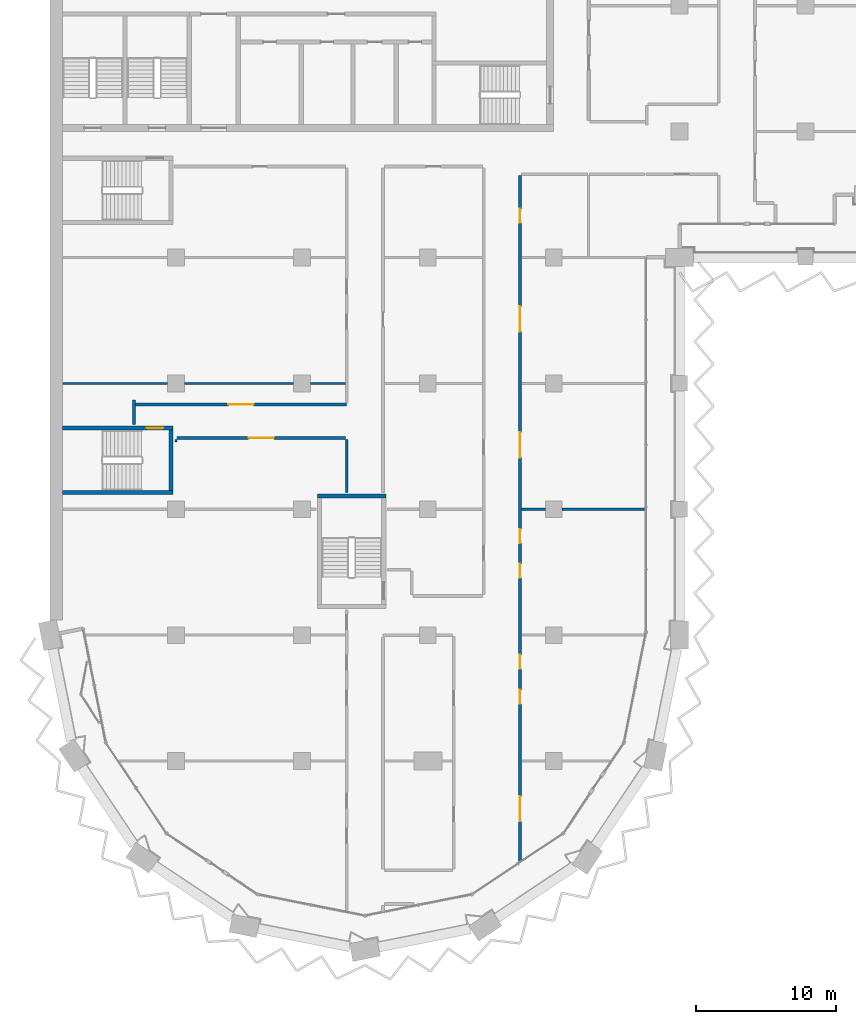
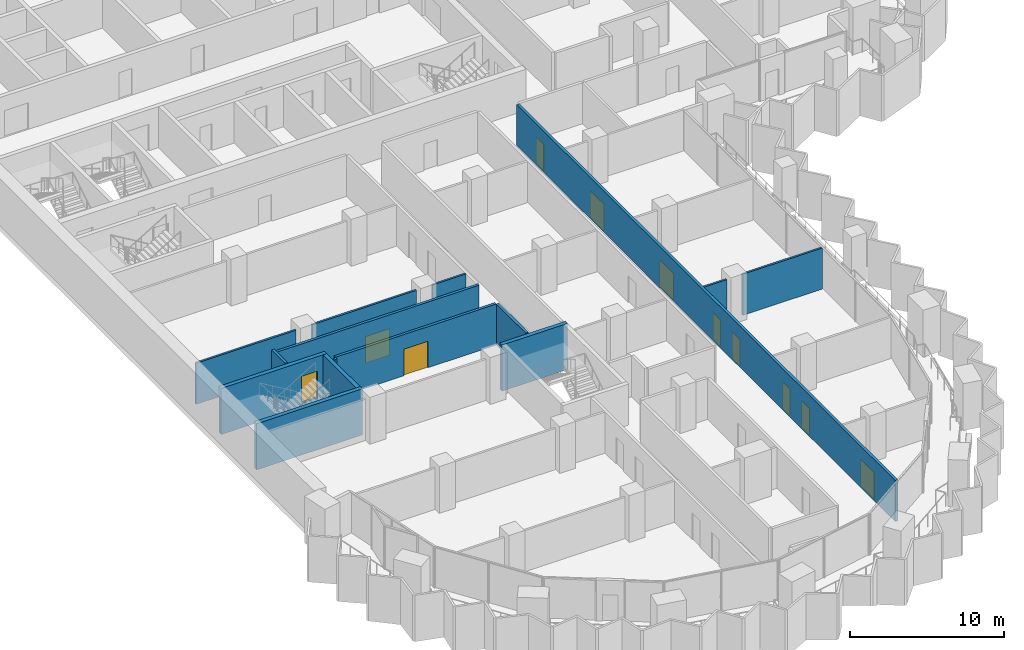
# One storey, part 11 of 22: 15 walls, 11 doors, 11 openings.
"""IFC4 building model written with IfcOpenShell, lengths in metres."""

from ifc_helpers import new_model, si_unit, direction, frame, frame_2d, origin, place, context, subcontext, project, spatial, rectangle, extrude, material, layer, layer_set, type_object, element, fill, save


model = new_model("IFC4")

# Units and contexts
model_context = context("Model", 3, precision=1e-05, world=origin(), true_north=direction((0.0, 1.0)))
body_context = subcontext(model_context, "Body", "Model", "MODEL_VIEW")
ifc_project = project(units=[si_unit("LENGTHUNIT", "METRE"), si_unit("AREAUNIT", "SQUARE_METRE"), si_unit("VOLUMEUNIT", "CUBIC_METRE"), si_unit("PLANEANGLEUNIT", "RADIAN"), si_unit("MASSUNIT", "GRAM", prefix="KILO")], contexts=[model_context])

# Site, building, storey
site_placement = place(None, origin())
site = spatial("IfcSite", under=ifc_project, at=site_placement, CompositionType="ELEMENT")
building_placement = place(site_placement, origin())
building = spatial("IfcBuilding", under=site, at=building_placement, Name="Hunhe Ridgeline Campus", CompositionType="ELEMENT")
storey_placement = place(building_placement, frame((0.0, 0.0, 174.5)))
storey = spatial("IfcBuildingStorey", under=building, at=storey_placement, Name="L44", CompositionType="ELEMENT", Elevation=174.5)

# Wall, opening, door
ifc_material_1 = material(Name="Gypsum board partition")
ifc_layer_1 = layer(ifc_material_1, 0.199951171875)
ifc_layer_set_1 = layer_set([ifc_layer_1], Name="Corridor partition 200 gypsum board on steel studs")
wall_type_1 = type_object("IfcWallType", Name="Corridor partition 200 gypsum board on steel studs", PredefinedType="PARTITIONING", material=ifc_layer_set_1)
wall_1_placement = place(storey_placement, frame((21.10009765625, 41.10009765625, 0.0), z_axis=(0.0, 0.0, 1.0), x_axis=(-1.0, 0.0, 0.0)))
wall_1 = element("IfcWall", 1, at=wall_1_placement, inside=storey, type_object=wall_type_1, Name="F-L44-wall-026", PredefinedType="PARTITIONING", context=body_context, shape_type="SweptSolid", body=[
    extrude(rectangle(XDim=12.025146484375, YDim=0.199951171875, at=frame_2d((6.0126953125, 0.0))), origin(), (0.0, 0.0, 1.0), 3.25),
])
opening_1_placement = place(wall_1_placement, frame((5.112548828125, 0.0, 0.0)))
opening_1 = element("IfcOpeningElement", 2, at=opening_1_placement, cuts=wall_1, Name="Opening RD2-016", PredefinedType="OPENING", context=body_context, shape_type="SweptSolid", body=[
    extrude(rectangle(XDim=1.800048828125, YDim=2.10009765625, at=frame_2d((0.89990234375, 1.050048828125))), frame((0.0, 0.10009765625, 0.0), z_axis=(0.0, -1.0, 0.0), x_axis=(1.0, 0.0, 0.0)), (0.0, 0.0, 1.0), 0.199951171875),
])
ifc_material_2 = material(Name="Timber door leaf", Category="wood")
door_type_1 = type_object("IfcDoorType", Name="Double fire door 1800x2100 timber FD60", OperationType="DOUBLE_DOOR_SINGLE_SWING", PredefinedType="DOOR", material=ifc_material_2)
door_1_placement = place(opening_1_placement, origin())
door_1 = element("IfcDoor", 3, at=door_1_placement, inside=storey, type_object=door_type_1, Name="F-L44-door-016", OperationType="DOUBLE_DOOR_SINGLE_SWING", OverallHeight=2.10009765625, OverallWidth=1.800048828125, PredefinedType="DOOR", context=body_context, shape_type="SweptSolid", body=[
    extrude(rectangle(XDim=1.800048828125, YDim=2.10009765625, at=frame_2d((0.89990234375, 1.050048828125))), frame((0.0, 0.02490234375, 0.0), z_axis=(0.0, -1.0, 0.0), x_axis=(1.0, 0.0, 0.0)), (0.0, 0.0, 1.0), 0.050048828125),
])
fill(opening_1, door_1)

wall_2_placement = place(storey_placement, frame((6.10009765625, 43.5, 0.0), z_axis=(0.0, 0.0, 1.0), x_axis=(1.0, 0.0, 0.0)))
wall_2 = element("IfcWall", 4, at=wall_2_placement, inside=storey, type_object=wall_type_1, Name="F-L44-wall-027", PredefinedType="PARTITIONING", context=body_context, shape_type="SweptSolid", body=[
    extrude(rectangle(XDim=15.099853515625, YDim=0.199951171875, at=frame_2d((7.5498046875, 0.0))), origin(), (0.0, 0.0, 1.0), 3.25),
])
opening_2_placement = place(wall_2_placement, frame((6.64990234375, 0.0, 0.0)))
opening_2 = element("IfcOpeningElement", 5, at=opening_2_placement, cuts=wall_2, Name="Opening RD2-017", PredefinedType="OPENING", context=body_context, shape_type="SweptSolid", body=[
    extrude(rectangle(XDim=1.800048828125, YDim=2.10009765625, at=frame_2d((0.89990234375, 1.050048828125))), frame((0.0, 0.10009765625, 0.0), z_axis=(0.0, -1.0, 0.0), x_axis=(1.0, 0.0, 0.0)), (0.0, 0.0, 1.0), 0.199951171875),
])
door_2_placement = place(opening_2_placement, origin())
door_2 = element("IfcDoor", 6, at=door_2_placement, inside=storey, type_object=door_type_1, Name="F-L44-door-017", OperationType="DOUBLE_DOOR_SINGLE_SWING", OverallHeight=2.10009765625, OverallWidth=1.800048828125, PredefinedType="DOOR", context=body_context, shape_type="SweptSolid", body=[
    extrude(rectangle(XDim=1.800048828125, YDim=2.10009765625, at=frame_2d((0.89990234375, 1.050048828125))), frame((0.0, 0.02490234375, 0.0), z_axis=(0.0, -1.0, 0.0), x_axis=(1.0, 0.0, 0.0)), (0.0, 0.0, 1.0), 0.050048828125),
])
fill(opening_2, door_2)

# Walls
wall_3_placement = place(storey_placement, frame((6.0, 42.053955078125, 0.0), z_axis=(0.0, 0.0, 1.0), x_axis=(0.0, 1.0, 0.0)))
element("IfcWall", 7, at=wall_3_placement, inside=storey, type_object=wall_type_1, Name="F-L44-wall-061", PredefinedType="PARTITIONING", context=body_context, shape_type="SweptSolid", body=[
    extrude(rectangle(XDim=1.74609375, YDim=0.199951171875, at=frame_2d((0.873046875, 0.0))), origin(), (0.0, 0.0, 1.0), 3.25),
])
wall_4_placement = place(storey_placement, frame((21.199951171875, 37.2041015625, 0.0), z_axis=(0.0, 0.0, 1.0), x_axis=(0.0, 1.0, 0.0)))
element("IfcWall", 8, at=wall_4_placement, inside=storey, type_object=wall_type_1, Name="F-L44-wall-064", PredefinedType="PARTITIONING", context=body_context, shape_type="SweptSolid", body=[
    extrude(rectangle(XDim=3.7958984375, YDim=0.199951171875, at=frame_2d((1.89794921875, 0.0))), origin(), (0.0, 0.0, 1.0), 3.25),
])

# Wall, openings, doors
wall_5_placement = place(storey_placement, frame((33.60009765625, 59.85107421875, 0.0), z_axis=(0.0, 0.0, 1.0), x_axis=(0.0, -1.0, 0.0)))
wall_5 = element("IfcWall", 9, at=wall_5_placement, inside=storey, type_object=wall_type_1, Name="F-L44-wall-072", PredefinedType="PARTITIONING", context=body_context, shape_type="SweptSolid", body=[
    extrude(rectangle(XDim=49.022216796875, YDim=0.199951171875, at=frame_2d((24.51123046875, 0.0))), origin(), (0.0, 0.0, 1.0), 3.25),
])
opening_3_placement = place(wall_5_placement, frame((44.37060546875, 0.0, 0.0)))
opening_3 = element("IfcOpeningElement", 10, at=opening_3_placement, cuts=wall_5, Name="Opening RD2-003", PredefinedType="OPENING", context=body_context, shape_type="SweptSolid", body=[
    extrude(rectangle(XDim=1.800048828125, YDim=2.10009765625, at=frame_2d((0.89990234375, 1.050048828125))), frame((0.0, 0.10009765625, 0.0), z_axis=(0.0, -1.0, 0.0), x_axis=(1.0, 0.0, 0.0)), (0.0, 0.0, 1.0), 0.199951171875),
])
opening_4_placement = place(wall_5_placement, frame((36.766845703125, 0.0, 0.0)))
opening_4 = element("IfcOpeningElement", 11, at=opening_4_placement, cuts=wall_5, Name="Opening RD1-007", PredefinedType="OPENING", context=body_context, shape_type="SweptSolid", body=[
    extrude(rectangle(XDim=1.0, YDim=2.10009765625, at=frame_2d((0.5, 1.050048828125))), frame((0.0, 0.10009765625, 0.0), z_axis=(0.0, -1.0, 0.0), x_axis=(1.0, 0.0, 0.0)), (0.0, 0.0, 1.0), 0.199951171875),
])
opening_5_placement = place(wall_5_placement, frame((34.266845703125, 0.0, 0.0)))
opening_5 = element("IfcOpeningElement", 12, at=opening_5_placement, cuts=wall_5, Name="Opening RD1-009", PredefinedType="OPENING", context=body_context, shape_type="SweptSolid", body=[
    extrude(rectangle(XDim=1.0, YDim=2.10009765625, at=frame_2d((0.5, 1.050048828125))), frame((0.0, 0.10009765625, 0.0), z_axis=(0.0, -1.0, 0.0), x_axis=(1.0, 0.0, 0.0)), (0.0, 0.0, 1.0), 0.199951171875),
])
opening_6_placement = place(wall_5_placement, frame((27.7626953125, 0.0, 0.0)))
opening_6 = element("IfcOpeningElement", 13, at=opening_6_placement, cuts=wall_5, Name="Opening RD1-011", PredefinedType="OPENING", context=body_context, shape_type="SweptSolid", body=[
    extrude(rectangle(XDim=1.0, YDim=2.10009765625, at=frame_2d((0.5, 1.050048828125))), frame((0.0, 0.10009765625, 0.0), z_axis=(0.0, -1.0, 0.0), x_axis=(1.0, 0.0, 0.0)), (0.0, 0.0, 1.0), 0.199951171875),
])
opening_7_placement = place(wall_5_placement, frame((25.2626953125, 0.0, 0.0)))
opening_7 = element("IfcOpeningElement", 14, at=opening_7_placement, cuts=wall_5, Name="Opening RD1-013", PredefinedType="OPENING", context=body_context, shape_type="SweptSolid", body=[
    extrude(rectangle(XDim=1.0, YDim=2.10009765625, at=frame_2d((0.5, 1.050048828125))), frame((0.0, 0.10009765625, 0.0), z_axis=(0.0, -1.0, 0.0), x_axis=(1.0, 0.0, 0.0)), (0.0, 0.0, 1.0), 0.199951171875),
])
opening_8_placement = place(wall_5_placement, frame((18.358642578125, 0.0, 0.0)))
opening_8 = element("IfcOpeningElement", 15, at=opening_8_placement, cuts=wall_5, Name="Opening RD2-015", PredefinedType="OPENING", context=body_context, shape_type="SweptSolid", body=[
    extrude(rectangle(XDim=1.800048828125, YDim=2.10009765625, at=frame_2d((0.89990234375, 1.050048828125))), frame((0.0, 0.10009765625, 0.0), z_axis=(0.0, -1.0, 0.0), x_axis=(1.0, 0.0, 0.0)), (0.0, 0.0, 1.0), 0.199951171875),
])
opening_9_placement = place(wall_5_placement, frame((9.3544921875, 0.0, 0.0)))
opening_9 = element("IfcOpeningElement", 16, at=opening_9_placement, cuts=wall_5, Name="Opening RD2-020", PredefinedType="OPENING", context=body_context, shape_type="SweptSolid", body=[
    extrude(rectangle(XDim=1.800048828125, YDim=2.10009765625, at=frame_2d((0.89990234375, 1.050048828125))), frame((0.0, 0.10009765625, 0.0), z_axis=(0.0, -1.0, 0.0), x_axis=(1.0, 0.0, 0.0)), (0.0, 0.0, 1.0), 0.199951171875),
])
opening_10_placement = place(wall_5_placement, frame((2.376220703125, 0.0, 0.0)))
opening_10 = element("IfcOpeningElement", 17, at=opening_10_placement, cuts=wall_5, Name="Opening RD1-022", PredefinedType="OPENING", context=body_context, shape_type="SweptSolid", body=[
    extrude(rectangle(XDim=1.0, YDim=2.10009765625, at=frame_2d((0.5, 1.050048828125))), frame((0.0, 0.10009765625, 0.0), z_axis=(0.0, -1.0, 0.0), x_axis=(1.0, 0.0, 0.0)), (0.0, 0.0, 1.0), 0.199951171875),
])
door_3_placement = place(opening_3_placement, origin())
door_3 = element("IfcDoor", 18, at=door_3_placement, inside=storey, type_object=door_type_1, Name="F-L44-door-003", OperationType="DOUBLE_DOOR_SINGLE_SWING", OverallHeight=2.10009765625, OverallWidth=1.800048828125, PredefinedType="DOOR", context=body_context, shape_type="SweptSolid", body=[
    extrude(rectangle(XDim=1.800048828125, YDim=2.10009765625, at=frame_2d((0.89990234375, 1.050048828125))), frame((0.0, 0.02490234375, 0.0), z_axis=(0.0, -1.0, 0.0), x_axis=(1.0, 0.0, 0.0)), (0.0, 0.0, 1.0), 0.050048828125),
])
fill(opening_3, door_3)
door_4_placement = place(opening_8_placement, origin())
door_4 = element("IfcDoor", 19, at=door_4_placement, inside=storey, type_object=door_type_1, Name="F-L44-door-015", OperationType="DOUBLE_DOOR_SINGLE_SWING", OverallHeight=2.10009765625, OverallWidth=1.800048828125, PredefinedType="DOOR", context=body_context, shape_type="SweptSolid", body=[
    extrude(rectangle(XDim=1.800048828125, YDim=2.10009765625, at=frame_2d((0.89990234375, 1.050048828125))), frame((0.0, 0.02490234375, 0.0), z_axis=(0.0, -1.0, 0.0), x_axis=(1.0, 0.0, 0.0)), (0.0, 0.0, 1.0), 0.050048828125),
])
fill(opening_8, door_4)
door_5_placement = place(opening_9_placement, origin())
door_5 = element("IfcDoor", 20, at=door_5_placement, inside=storey, type_object=door_type_1, Name="F-L44-door-020", OperationType="DOUBLE_DOOR_SINGLE_SWING", OverallHeight=2.10009765625, OverallWidth=1.800048828125, PredefinedType="DOOR", context=body_context, shape_type="SweptSolid", body=[
    extrude(rectangle(XDim=1.800048828125, YDim=2.10009765625, at=frame_2d((0.89990234375, 1.050048828125))), frame((0.0, 0.02490234375, 0.0), z_axis=(0.0, -1.0, 0.0), x_axis=(1.0, 0.0, 0.0)), (0.0, 0.0, 1.0), 0.050048828125),
])
fill(opening_9, door_5)
door_type_2 = type_object("IfcDoorType", Name="Single fire door 1000x2100 timber FD60", OperationType="NOTDEFINED", PredefinedType="DOOR", material=ifc_material_2)
door_6_placement = place(opening_4_placement, frame((1.0, 0.0, 0.0), z_axis=(0.0, 0.0, 1.0), x_axis=(-1.0, 0.0, 0.0)))
door_6 = element("IfcDoor", 21, at=door_6_placement, inside=storey, type_object=door_type_2, Name="F-L44-door-007", OperationType="SINGLE_SWING_RIGHT", OverallHeight=2.10009765625, OverallWidth=1.0, PredefinedType="DOOR", context=body_context, shape_type="SweptSolid", body=[
    extrude(rectangle(XDim=1.0, YDim=2.10009765625, at=frame_2d((0.5, 1.050048828125))), frame((0.0, 0.02490234375, 0.0), z_axis=(0.0, -1.0, 0.0), x_axis=(1.0, 0.0, 0.0)), (0.0, 0.0, 1.0), 0.050048828125),
])
fill(opening_4, door_6)
door_7_placement = place(opening_5_placement, frame((1.0, 0.0, 0.0), z_axis=(0.0, 0.0, 1.0), x_axis=(-1.0, 0.0, 0.0)))
door_7 = element("IfcDoor", 22, at=door_7_placement, inside=storey, type_object=door_type_2, Name="F-L44-door-009", OperationType="SINGLE_SWING_RIGHT", OverallHeight=2.10009765625, OverallWidth=1.0, PredefinedType="DOOR", context=body_context, shape_type="SweptSolid", body=[
    extrude(rectangle(XDim=1.0, YDim=2.10009765625, at=frame_2d((0.5, 1.050048828125))), frame((0.0, 0.02490234375, 0.0), z_axis=(0.0, -1.0, 0.0), x_axis=(1.0, 0.0, 0.0)), (0.0, 0.0, 1.0), 0.050048828125),
])
fill(opening_5, door_7)
door_8_placement = place(opening_6_placement, frame((1.0, 0.0, 0.0), z_axis=(0.0, 0.0, 1.0), x_axis=(-1.0, 0.0, 0.0)))
door_8 = element("IfcDoor", 23, at=door_8_placement, inside=storey, type_object=door_type_2, Name="F-L44-door-011", OperationType="SINGLE_SWING_RIGHT", OverallHeight=2.10009765625, OverallWidth=1.0, PredefinedType="DOOR", context=body_context, shape_type="SweptSolid", body=[
    extrude(rectangle(XDim=1.0, YDim=2.10009765625, at=frame_2d((0.5, 1.050048828125))), frame((0.0, 0.02490234375, 0.0), z_axis=(0.0, -1.0, 0.0), x_axis=(1.0, 0.0, 0.0)), (0.0, 0.0, 1.0), 0.050048828125),
])
fill(opening_6, door_8)
door_9_placement = place(opening_7_placement, frame((1.0, 0.0, 0.0), z_axis=(0.0, 0.0, 1.0), x_axis=(-1.0, 0.0, 0.0)))
door_9 = element("IfcDoor", 24, at=door_9_placement, inside=storey, type_object=door_type_2, Name="F-L44-door-013", OperationType="SINGLE_SWING_RIGHT", OverallHeight=2.10009765625, OverallWidth=1.0, PredefinedType="DOOR", context=body_context, shape_type="SweptSolid", body=[
    extrude(rectangle(XDim=1.0, YDim=2.10009765625, at=frame_2d((0.5, 1.050048828125))), frame((0.0, 0.02490234375, 0.0), z_axis=(0.0, -1.0, 0.0), x_axis=(1.0, 0.0, 0.0)), (0.0, 0.0, 1.0), 0.050048828125),
])
fill(opening_7, door_9)
door_10_placement = place(opening_10_placement, origin())
door_10 = element("IfcDoor", 25, at=door_10_placement, inside=storey, type_object=door_type_2, Name="F-L44-door-022", OperationType="SINGLE_SWING_LEFT", OverallHeight=2.10009765625, OverallWidth=1.0, PredefinedType="DOOR", context=body_context, shape_type="SweptSolid", body=[
    extrude(rectangle(XDim=1.0, YDim=2.10009765625, at=frame_2d((0.5, 1.050048828125))), frame((0.0, 0.02490234375, 0.0), z_axis=(0.0, -1.0, 0.0), x_axis=(1.0, 0.0, 0.0)), (0.0, 0.0, 1.0), 0.050048828125),
])
fill(opening_10, door_10)

# Walls
ifc_layer_2 = layer(ifc_material_1, 0.14990234375)
ifc_layer_set_2 = layer_set([ifc_layer_2], Name="Room partition 150 gypsum board on steel studs")
wall_type_2 = type_object("IfcWallType", Name="Room partition 150 gypsum board on steel studs", PredefinedType="PARTITIONING", material=ifc_layer_set_2)
wall_6_placement = place(storey_placement, frame((33.699951171875, 36.0, 0.0), z_axis=(0.0, 0.0, 1.0), x_axis=(1.0, 0.0, 0.0)))
element("IfcWall", 26, at=wall_6_placement, inside=storey, type_object=wall_type_2, Name="F-L44-wall-024", PredefinedType="PARTITIONING", context=body_context, shape_type="SweptSolid", body=[
    extrude(rectangle(XDim=1.699951171875, YDim=0.14990234375, at=frame_2d((0.85009765625, 0.0))), origin(), (0.0, 0.0, 1.0), 3.25),
])
wall_7_placement = place(storey_placement, frame((36.60009765625, 36.0, 0.0), z_axis=(0.0, 0.0, 1.0), x_axis=(1.0, 0.0, 0.0)))
element("IfcWall", 27, at=wall_7_placement, inside=storey, type_object=wall_type_2, Name="F-L44-wall-025", PredefinedType="PARTITIONING", context=body_context, shape_type="SweptSolid", body=[
    extrude(rectangle(XDim=5.94482421875, YDim=0.14990234375, at=frame_2d((2.972412109375, 0.0))), origin(), (0.0, 0.0, 1.0), 3.25),
])
wall_8_placement = place(storey_placement, frame((0.919921875, 45.0, 0.0), z_axis=(0.0, 0.0, 1.0), x_axis=(1.0, 0.0, 0.0)))
element("IfcWall", 28, at=wall_8_placement, inside=storey, type_object=wall_type_2, Name="F-L44-wall-028", PredefinedType="PARTITIONING", context=body_context, shape_type="SweptSolid", body=[
    extrude(rectangle(XDim=7.47998046875, YDim=0.14990234375, at=frame_2d((3.739990234375, 0.0))), origin(), (0.0, 0.0, 1.0), 3.25),
])
wall_9_placement = place(storey_placement, frame((9.60009765625, 45.0, 0.0), z_axis=(0.0, 0.0, 1.0), x_axis=(1.0, 0.0, 0.0)))
element("IfcWall", 29, at=wall_9_placement, inside=storey, type_object=wall_type_2, Name="F-L44-wall-029", PredefinedType="PARTITIONING", context=body_context, shape_type="SweptSolid", body=[
    extrude(rectangle(XDim=7.7998046875, YDim=0.14990234375, at=frame_2d((3.89990234375, 0.0))), origin(), (0.0, 0.0, 1.0), 3.25),
])
wall_10_placement = place(storey_placement, frame((18.60009765625, 45.0, 0.0), z_axis=(0.0, 0.0, 1.0), x_axis=(1.0, 0.0, 0.0)))
element("IfcWall", 30, at=wall_10_placement, inside=storey, type_object=wall_type_2, Name="F-L44-wall-030", PredefinedType="PARTITIONING", context=body_context, shape_type="SweptSolid", body=[
    extrude(rectangle(XDim=2.5, YDim=0.14990234375, at=frame_2d((1.25, 0.0))), origin(), (0.0, 0.0, 1.0), 3.25),
])
wall_11_placement = place(storey_placement, frame((9.0, 41.0, 0.0), z_axis=(0.0, 0.0, 1.0), x_axis=(0.0, -1.0, 0.0)))
element("IfcWall", 31, at=wall_11_placement, inside=storey, type_object=wall_type_2, Name="F-L44-wall-062", PredefinedType="PARTITIONING", context=body_context, shape_type="SweptSolid", body=[
    extrude(rectangle(XDim=0.199951171875, YDim=0.14990234375, at=frame_2d((0.10009765625, 0.0))), origin(), (0.0, 0.0, 1.0), 3.25),
])
ifc_material_3 = material(Name="Concrete C70", Category="concrete")
ifc_layer_3 = layer(ifc_material_3, 0.300048828125)
ifc_layer_set_3 = layer_set([ifc_layer_3], Name="Stair wall 300 reinforced concrete C70")
wall_type_3 = type_object("IfcWallType", Name="Stair wall 300 reinforced concrete C70", PredefinedType="SOLIDWALL", material=ifc_layer_set_3)
wall_12_placement = place(storey_placement, frame((19.10009765625, 36.949951171875, -0.39990234375), z_axis=(0.0, 0.0, 1.0), x_axis=(1.0, 0.0, 0.0)))
element("IfcWall", 32, at=wall_12_placement, inside=storey, type_object=wall_type_3, Name="L44 core wall 2", PredefinedType="SOLIDWALL", context=body_context, shape_type="SweptSolid", body=[
    extrude(rectangle(XDim=4.89990234375, YDim=0.300048828125, at=frame_2d((2.449951171875, 0.0))), origin(), (0.0, 0.0, 1.0), 3.64990234375),
])
wall_13_placement = place(storey_placement, frame((0.89990234375, 37.199951171875, -0.39990234375), z_axis=(0.0, 0.0, 1.0), x_axis=(1.0, 0.0, 0.0)))
element("IfcWall", 33, at=wall_13_placement, inside=storey, type_object=wall_type_3, Name="L44 core wall 3", PredefinedType="SOLIDWALL", context=body_context, shape_type="SweptSolid", body=[
    extrude(rectangle(XDim=7.900146484375, YDim=0.300048828125, at=frame_2d((3.9501953125, 0.0))), origin(), (0.0, 0.0, 1.0), 3.64990234375),
])

# Wall, opening, door
wall_14_placement = place(storey_placement, frame((0.89990234375, 41.800048828125, -0.39990234375), z_axis=(0.0, 0.0, 1.0), x_axis=(1.0, 0.0, 0.0)))
wall_14 = element("IfcWall", 34, at=wall_14_placement, inside=storey, type_object=wall_type_3, Name="L44 core wall 4", PredefinedType="SOLIDWALL", context=body_context, shape_type="SweptSolid", body=[
    extrude(rectangle(XDim=7.900146484375, YDim=0.300048828125, at=frame_2d((3.9501953125, 0.0))), origin(), (0.0, 0.0, 1.0), 3.64990234375),
])
opening_11_placement = place(wall_14_placement, frame((6.0, 0.0, 0.39990234375)))
opening_11 = element("IfcOpeningElement", 35, at=opening_11_placement, cuts=wall_14, Name="Opening CD21", PredefinedType="OPENING", context=body_context, shape_type="SweptSolid", body=[
    extrude(rectangle(XDim=1.199951171875, YDim=2.10009765625, at=frame_2d((0.60009765625, 1.050048828125))), frame((0.0, 0.14990234375, 0.0), z_axis=(0.0, -1.0, 0.0), x_axis=(1.0, 0.0, 0.0)), (0.0, 0.0, 1.0), 0.300048828125),
])
ifc_material_4 = material(Name="Hollow metal fire door leaf")
door_type_3 = type_object("IfcDoorType", Name="Stair door 1200x2100 FD60", OperationType="SINGLE_SWING_LEFT", PredefinedType="DOOR", material=ifc_material_4)
door_11_placement = place(opening_11_placement, origin())
door_11 = element("IfcDoor", 36, at=door_11_placement, inside=storey, type_object=door_type_3, Name="L44 door W1", OperationType="SINGLE_SWING_LEFT", OverallHeight=2.10009765625, OverallWidth=1.199951171875, PredefinedType="DOOR", context=body_context, shape_type="SweptSolid", body=[
    extrude(rectangle(XDim=1.199951171875, YDim=2.10009765625, at=frame_2d((0.60009765625, 1.050048828125))), frame((0.0, 0.02490234375, 0.0), z_axis=(0.0, -1.0, 0.0), x_axis=(1.0, 0.0, 0.0)), (0.0, 0.0, 1.0), 0.050048828125),
])
fill(opening_11, door_11)

# Wall
wall_15_placement = place(storey_placement, frame((8.64990234375, 37.35009765625, -0.39990234375), z_axis=(0.0, 0.0, 1.0), x_axis=(0.0, 1.0, 0.0)))
element("IfcWall", 37, at=wall_15_placement, inside=storey, type_object=wall_type_3, Name="L44 core wall 37", PredefinedType="SOLIDWALL", context=body_context, shape_type="SweptSolid", body=[
    extrude(rectangle(XDim=4.2998046875, YDim=0.300048828125, at=frame_2d((2.14990234375, 0.0))), origin(), (0.0, 0.0, 1.0), 3.64990234375),
])

save(model, "model.ifc")
